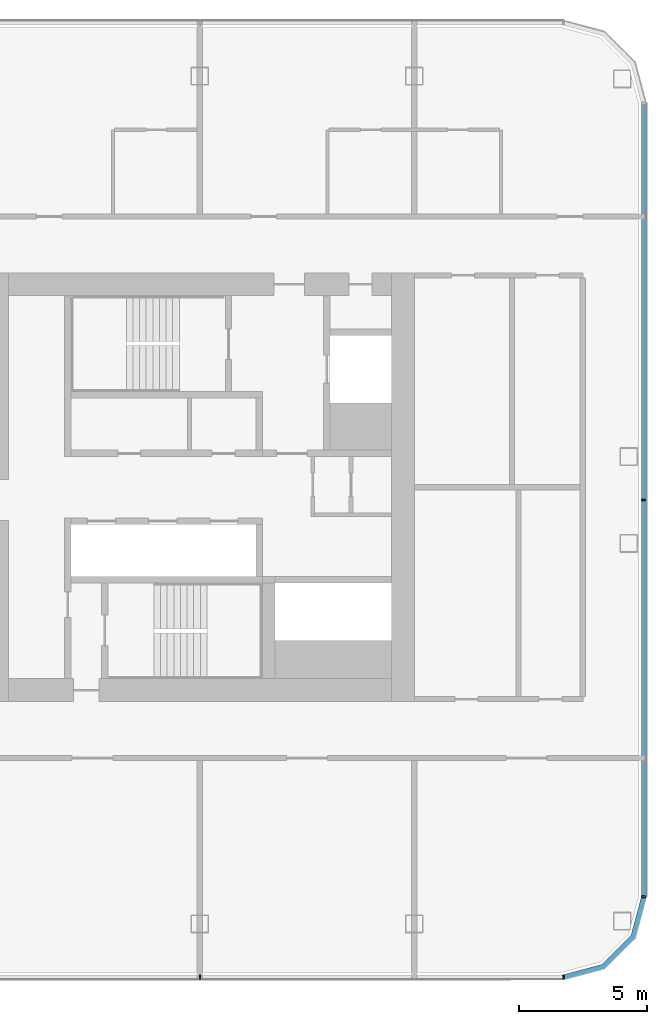
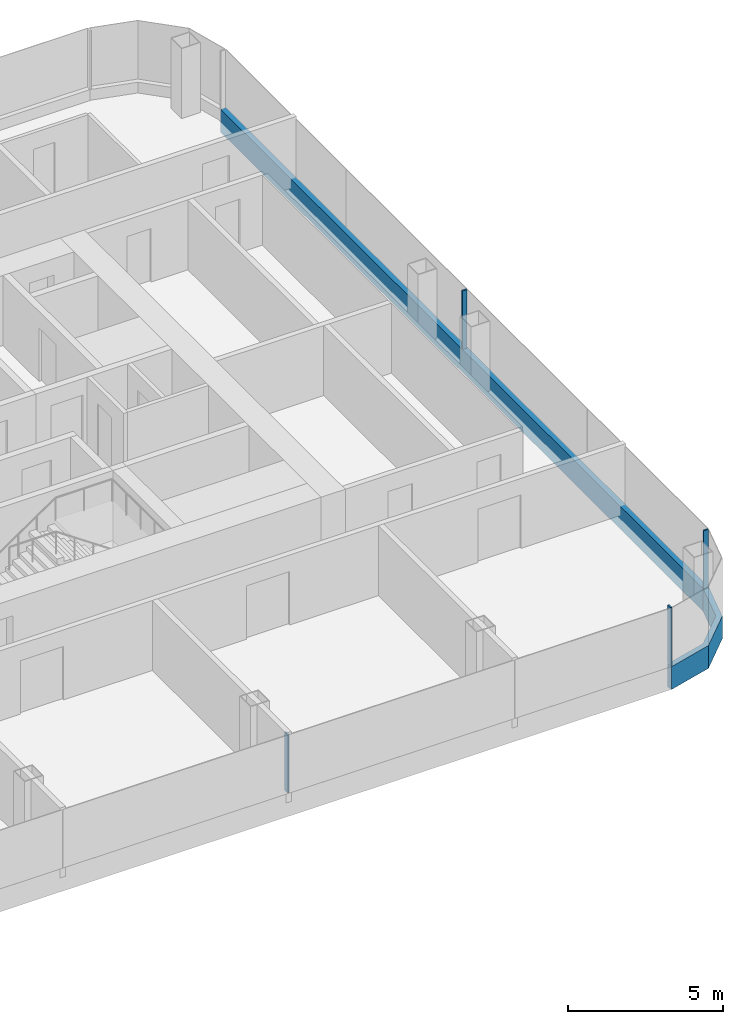
# One storey, part 9 of 26: 6 members, 3 elements without a shape of their own.
"""IFC4 building model written with IfcOpenShell, lengths in metres."""

from ifc_helpers import new_model, si_unit, direction, frame, origin, origin_2d, place, context, subcontext, project, spatial, polyline, rectangle, outline, extrude, material, layer, layer_set, material_profile, profile_set, type_object, element, aggregate, save


model = new_model("IFC4")

# Units and contexts
model_context = context("Model", 3, precision=1e-05, world=origin(), true_north=direction((0.0, 1.0)))
body_context = subcontext(model_context, "Body", "Model", "MODEL_VIEW")
ifc_project = project(units=[si_unit("LENGTHUNIT", "METRE"), si_unit("AREAUNIT", "SQUARE_METRE"), si_unit("VOLUMEUNIT", "CUBIC_METRE"), si_unit("PLANEANGLEUNIT", "RADIAN"), si_unit("MASSUNIT", "GRAM", prefix="KILO")], contexts=[model_context])

# Site, building, storey
site_placement = place(None, origin())
site = spatial("IfcSite", under=ifc_project, at=site_placement, CompositionType="ELEMENT")
building_placement = place(site_placement, origin())
building = spatial("IfcBuilding", under=site, at=building_placement, Name="Hakoniwa Tower and Hamabe Station Hall", CompositionType="ELEMENT")
storey_placement = place(building_placement, frame((0.0, 0.0, 159.800048828125)))
storey = spatial("IfcBuildingStorey", under=building, at=storey_placement, Name="L45", CompositionType="ELEMENT", Elevation=159.800048828125)

# Curtain wall, member
ifc_material_1 = material(Name="Dark low-e laminated glass", Category="glass")
ifc_layer = layer(ifc_material_1, 0.199951171875)
ifc_layer_set = layer_set([ifc_layer], Name="CW-1 UNITISED GUEST")
curtain_wall_type = type_object("IfcCurtainWallType", Name="CW-1 UNITISED GUEST", PredefinedType="NOTDEFINED", material=ifc_layer_set)
curtain_wall_1_placement = place(storey_placement, origin())
curtain_wall_1 = element("IfcCurtainWall", 1, at=curtain_wall_1_placement, inside=storey, type_object=curtain_wall_type, Name="CW-1 curtain wall", PredefinedType="NOTDEFINED")
ifc_material_2 = material(Name="Aluminium 6063-T5 black anodised", Category="aluminium")
ifc_material_profile_1 = material_profile(ifc_material_2, rectangle(XDim=0.199951171875, YDim=0.89990234375, at=origin_2d()), Name="CW SLAB-EDGE BAND 900X200")
ifc_profile_set_1 = profile_set([ifc_material_profile_1], Name="Aluminium 6063-T5 black anodised")
member_type_1 = type_object("IfcMemberType", Name="CW SLAB-EDGE BAND 900X200", PredefinedType="USERDEFINED", material=ifc_profile_set_1)
member_1_placement = place(storey_placement, frame((42.60009765625, -16.03955078125, -0.10009765625), z_axis=(0.0, 1.0, 0.0), x_axis=(-1.0, 0.0, 0.0)))
member_1 = element("IfcMember", 2, at=member_1_placement, type_object=member_type_1, Name="CW-1 transom", ObjectType="TRANSOM", PredefinedType="USERDEFINED", context=body_context, shape_type="SweptSolid", body=[
    extrude(rectangle(XDim=0.199951171875, YDim=0.89990234375, at=origin_2d()), origin(), (0.0, 0.0, 1.0), 31.0791015625),
])

curtain_wall_2_placement = place(storey_placement, origin())
curtain_wall_2 = element("IfcCurtainWall", 3, at=curtain_wall_2_placement, inside=storey, type_object=curtain_wall_type, Name="CW-1 curtain wall", PredefinedType="NOTDEFINED")
member_2_placement = place(storey_placement, frame((0.0, 0.0, -0.550048828125)))
member_2 = element("IfcMember", 4, at=member_2_placement, type_object=member_type_1, Name="CW-1 transom", ObjectType="TRANSOM", PredefinedType="USERDEFINED", context=body_context, shape_type="SweptSolid", body=[
    extrude(outline(polyline([(39.439453125, -19.300048828125), (41.05517578125, -18.866943359375), (42.26708984375, -17.6552734375), (42.699951171875, -16.03955078125), (42.5068359375, -15.98779296875), (42.087646484375, -17.5517578125), (40.95166015625, -18.687744140625), (39.3876953125, -19.10693359375), (39.439453125, -19.300048828125)])), origin(), (0.0, 0.0, 1.0), 0.89990234375),
])
aggregate(curtain_wall_2, [member_2])

# Member
ifc_material_3 = material(Name="Aluminium 6063-T5 black anodised", Category="aluminium")
ifc_material_profile_2 = material_profile(ifc_material_3, rectangle(XDim=0.06005859375, YDim=0.179931640625, at=origin_2d()), Name="CW-1 MULLION 60X180")
ifc_profile_set_2 = profile_set([ifc_material_profile_2], Name="Aluminium 6063-T5 black anodised")
member_type_2 = type_object("IfcMemberType", Name="CW-1 MULLION 60X180", PredefinedType="MULLION", material=ifc_profile_set_2)
member_3_placement = place(storey_placement, frame((42.58203125, -16.03955078125, 0.349853515625), z_axis=(0.0, 0.0, 1.0), x_axis=(0.0, 1.0, 0.0)))
member_3 = element("IfcMember", 5, at=member_3_placement, type_object=member_type_2, Name="CW-1 mullion", PredefinedType="MULLION", context=body_context, shape_type="SweptSolid", body=[
    extrude(rectangle(XDim=0.06005859375, YDim=0.179931640625, at=origin_2d()), origin(), (0.0, 0.0, 1.0), 2.300048828125),
])

member_4_placement = place(storey_placement, frame((42.58203125, -0.5, 0.349853515625), z_axis=(0.0, 0.0, 1.0), x_axis=(0.0, 1.0, 0.0)))
member_4 = element("IfcMember", 6, at=member_4_placement, type_object=member_type_2, Name="CW-1 mullion", PredefinedType="MULLION", context=body_context, shape_type="SweptSolid", body=[
    extrude(rectangle(XDim=0.06005859375, YDim=0.179931640625, at=origin_2d()), origin(), (0.0, 0.0, 1.0), 2.300048828125),
])

aggregate(curtain_wall_1, [member_3, member_4, member_1])

# Curtain wall, members
curtain_wall_3_placement = place(storey_placement, origin())
curtain_wall_3 = element("IfcCurtainWall", 7, at=curtain_wall_3_placement, inside=storey, type_object=curtain_wall_type, Name="CW-1 curtain wall", PredefinedType="NOTDEFINED")
member_5_placement = place(storey_placement, frame((25.199951171875, -19.181884765625, 0.349853515625), z_axis=(0.0, 0.0, 1.0), x_axis=(1.0, 0.0, 0.0)))
member_5 = element("IfcMember", 8, at=member_5_placement, type_object=member_type_2, Name="CW-1 mullion", PredefinedType="MULLION", context=body_context, shape_type="SweptSolid", body=[
    extrude(rectangle(XDim=0.06005859375, YDim=0.179931640625, at=origin_2d()), origin(), (0.0, 0.0, 1.0), 2.300048828125),
])
member_6_placement = place(storey_placement, frame((39.439453125, -19.181884765625, 0.349853515625), z_axis=(0.0, 0.0, 1.0), x_axis=(1.0, 0.0, 0.0)))
member_6 = element("IfcMember", 9, at=member_6_placement, type_object=member_type_2, Name="CW-1 mullion", PredefinedType="MULLION", context=body_context, shape_type="SweptSolid", body=[
    extrude(rectangle(XDim=0.06005859375, YDim=0.179931640625, at=origin_2d()), origin(), (0.0, 0.0, 1.0), 2.300048828125),
])
aggregate(curtain_wall_3, [member_5, member_6])

save(model, "model.ifc")
